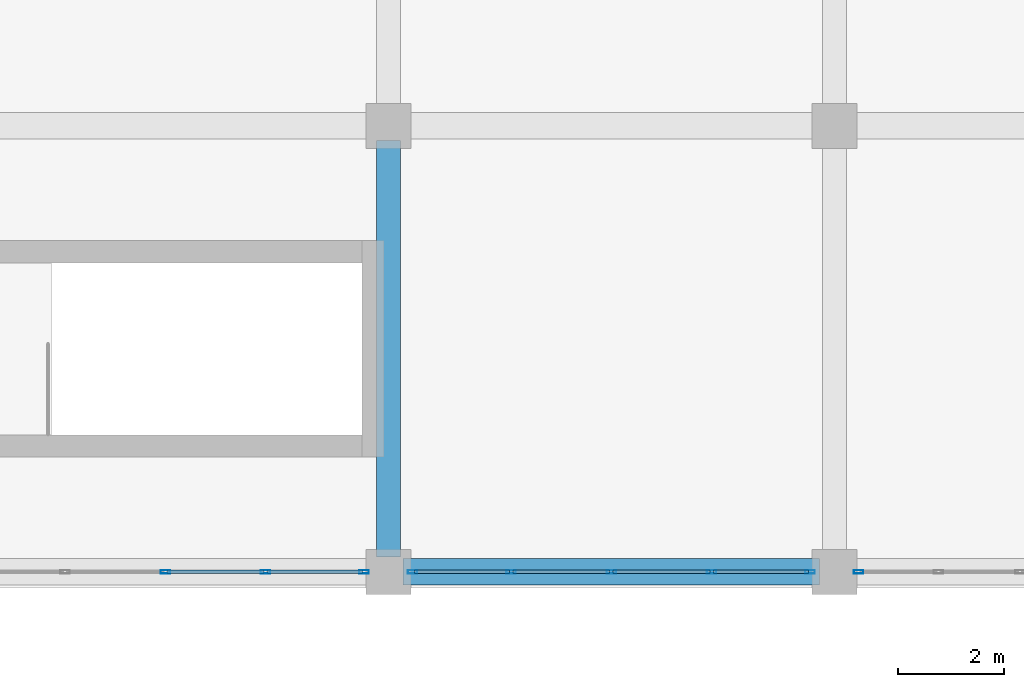
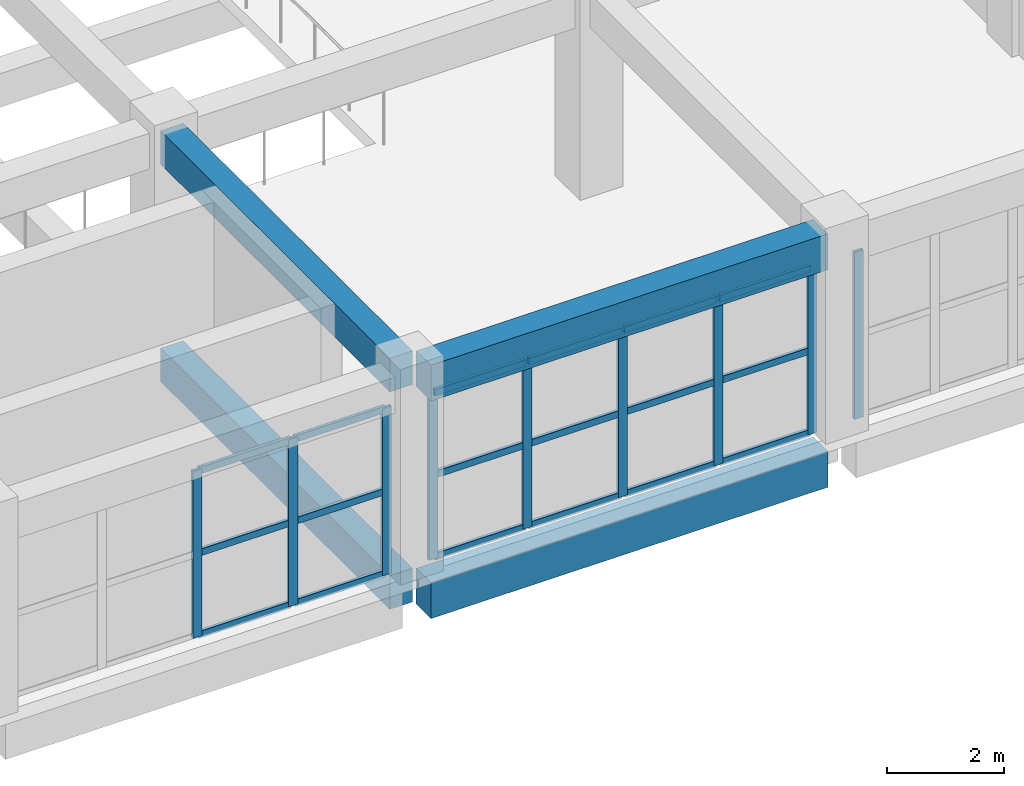
# One storey, part 28 of 129: 27 members, 4 beams, 3 elements without a shape of their own.
"""IFC4 building model written with IfcOpenShell, lengths in metres."""

from ifc_helpers import new_model, si_unit, direction, frame, origin, origin_2d, place, context, subcontext, project, spatial, rectangle, hollow_rectangle, extrude, material, layer, layer_set, material_profile, profile_set, type_object, element, aggregate, save


model = new_model("IFC4")

# Units and contexts
model_context = context("Model", 3, precision=1e-05, world=origin(), true_north=direction((0.0, 1.0)))
body_context = subcontext(model_context, "Body", "Model", "MODEL_VIEW")
ifc_project = project(units=[si_unit("LENGTHUNIT", "METRE"), si_unit("AREAUNIT", "SQUARE_METRE"), si_unit("VOLUMEUNIT", "CUBIC_METRE"), si_unit("PLANEANGLEUNIT", "RADIAN"), si_unit("MASSUNIT", "GRAM", prefix="KILO")], contexts=[model_context])

# Site, building, storey
site_placement = place(None, origin())
site = spatial("IfcSite", under=ifc_project, at=site_placement, CompositionType="ELEMENT")
building_placement = place(site_placement, origin())
building = spatial("IfcBuilding", under=site, at=building_placement, Name="Xazarin Passage Department Store", CompositionType="ELEMENT")
storey_placement = place(building_placement, frame((0.0, 0.0, 9.89990234375)))
storey = spatial("IfcBuildingStorey", under=building, at=storey_placement, Name="L02", CompositionType="ELEMENT", Elevation=9.89990234375)

# Curtain wall, members
ifc_material_1 = material(Name="Bronze anodised aluminium", Category="aluminium")
ifc_layer = layer(ifc_material_1, 0.159912109375)
ifc_layer_set = layer_set([ifc_layer], Name="Bronze anodised aluminium")
curtain_wall_type = type_object("IfcCurtainWallType", Name="ARC-CW-ARC1", PredefinedType="NOTDEFINED", material=ifc_layer_set)
curtain_wall_1_placement = place(storey_placement, origin())
curtain_wall_1 = element("IfcCurtainWall", 1, at=curtain_wall_1_placement, inside=storey, type_object=curtain_wall_type, Name="L02 V2S Curtain Wall 105", PredefinedType="NOTDEFINED")
ifc_material_profile_1 = material_profile(ifc_material_1, hollow_rectangle(XDim=0.06494140625, YDim=0.179931640625, WallThickness=0.00390625, at=origin_2d()), Name="ALU 65x180")
ifc_profile_set_1 = profile_set([ifc_material_profile_1], Name="Bronze anodised aluminium")
member_type_1 = type_object("IfcMemberType", Name="ARC-CWM-65x180", PredefinedType="MULLION", material=ifc_profile_set_1)
member_1_placement = place(storey_placement, frame((80.60009765625, 0.0, 0.0), z_axis=(0.0, 0.0, 1.0), x_axis=(0.0, 1.0, 0.0)))
member_1 = element("IfcMember", 2, at=member_1_placement, type_object=member_type_1, Name="CW3 mullion 3", PredefinedType="MULLION", context=body_context, shape_type="SweptSolid", body=[
    extrude(hollow_rectangle(XDim=0.06494140625, YDim=0.179931640625, WallThickness=0.00390625, at=origin_2d()), origin(), (0.0, 0.0, 1.0), 3.489990234375),
])
member_2_placement = place(storey_placement, frame((82.487548828125, 0.0, 0.0), z_axis=(0.0, 0.0, 1.0), x_axis=(0.0, 1.0, 0.0)))
member_2 = element("IfcMember", 3, at=member_2_placement, type_object=member_type_1, Name="CW3 mullion 4", PredefinedType="MULLION", context=body_context, shape_type="SweptSolid", body=[
    extrude(hollow_rectangle(XDim=0.06494140625, YDim=0.179931640625, WallThickness=0.00390625, at=origin_2d()), origin(), (0.0, 0.0, 1.0), 3.489990234375),
])
member_3_placement = place(storey_placement, frame((84.342529296875, 0.0, 0.0), z_axis=(0.0, 0.0, 1.0), x_axis=(0.0, 1.0, 0.0)))
member_3 = element("IfcMember", 4, at=member_3_placement, type_object=member_type_1, Name="CW3 mullion 5", PredefinedType="MULLION", context=body_context, shape_type="SweptSolid", body=[
    extrude(hollow_rectangle(XDim=0.06494140625, YDim=0.179931640625, WallThickness=0.00390625, at=origin_2d()), origin(), (0.0, 0.0, 1.0), 3.489990234375),
])

curtain_wall_2_placement = place(storey_placement, origin())
curtain_wall_2 = element("IfcCurtainWall", 5, at=curtain_wall_2_placement, inside=storey, type_object=curtain_wall_type, Name="L02 V2S Curtain Wall 106", PredefinedType="NOTDEFINED")
member_4_placement = place(storey_placement, frame((85.257568359375, 0.0, 0.0), z_axis=(0.0, 0.0, 1.0), x_axis=(0.0, 1.0, 0.0)))
member_4 = element("IfcMember", 6, at=member_4_placement, type_object=member_type_1, Name="CW3 mullion 1", PredefinedType="MULLION", context=body_context, shape_type="SweptSolid", body=[
    extrude(hollow_rectangle(XDim=0.06494140625, YDim=0.179931640625, WallThickness=0.00390625, at=origin_2d()), origin(), (0.0, 0.0, 1.0), 3.489990234375),
])
member_5_placement = place(storey_placement, frame((87.112548828125, 0.0, 0.0), z_axis=(0.0, 0.0, 1.0), x_axis=(0.0, 1.0, 0.0)))
member_5 = element("IfcMember", 7, at=member_5_placement, type_object=member_type_1, Name="CW3 mullion 2", PredefinedType="MULLION", context=body_context, shape_type="SweptSolid", body=[
    extrude(hollow_rectangle(XDim=0.06494140625, YDim=0.179931640625, WallThickness=0.00390625, at=origin_2d()), origin(), (0.0, 0.0, 1.0), 3.489990234375),
])
member_6_placement = place(storey_placement, frame((89.0, 0.0, 0.0), z_axis=(0.0, 0.0, 1.0), x_axis=(0.0, 1.0, 0.0)))
member_6 = element("IfcMember", 8, at=member_6_placement, type_object=member_type_1, Name="CW3 mullion 3", PredefinedType="MULLION", context=body_context, shape_type="SweptSolid", body=[
    extrude(hollow_rectangle(XDim=0.06494140625, YDim=0.179931640625, WallThickness=0.00390625, at=origin_2d()), origin(), (0.0, 0.0, 1.0), 3.489990234375),
])
member_7_placement = place(storey_placement, frame((90.887451171875, 0.0, 0.0), z_axis=(0.0, 0.0, 1.0), x_axis=(0.0, 1.0, 0.0)))
member_7 = element("IfcMember", 9, at=member_7_placement, type_object=member_type_1, Name="CW3 mullion 4", PredefinedType="MULLION", context=body_context, shape_type="SweptSolid", body=[
    extrude(hollow_rectangle(XDim=0.06494140625, YDim=0.179931640625, WallThickness=0.00390625, at=origin_2d()), origin(), (0.0, 0.0, 1.0), 3.489990234375),
])
member_8_placement = place(storey_placement, frame((92.742431640625, 0.0, 0.0), z_axis=(0.0, 0.0, 1.0), x_axis=(0.0, 1.0, 0.0)))
member_8 = element("IfcMember", 10, at=member_8_placement, type_object=member_type_1, Name="CW3 mullion 5", PredefinedType="MULLION", context=body_context, shape_type="SweptSolid", body=[
    extrude(hollow_rectangle(XDim=0.06494140625, YDim=0.179931640625, WallThickness=0.00390625, at=origin_2d()), origin(), (0.0, 0.0, 1.0), 3.489990234375),
])

# Curtain wall, member
curtain_wall_3_placement = place(storey_placement, origin())
curtain_wall_3 = element("IfcCurtainWall", 11, at=curtain_wall_3_placement, inside=storey, type_object=curtain_wall_type, Name="L02 V2S Curtain Wall 107", PredefinedType="NOTDEFINED")
member_9_placement = place(storey_placement, frame((93.657470703125, 0.0, 0.0), z_axis=(0.0, 0.0, 1.0), x_axis=(0.0, 1.0, 0.0)))
member_9 = element("IfcMember", 12, at=member_9_placement, type_object=member_type_1, Name="CW3 mullion 1", PredefinedType="MULLION", context=body_context, shape_type="SweptSolid", body=[
    extrude(hollow_rectangle(XDim=0.06494140625, YDim=0.179931640625, WallThickness=0.00390625, at=origin_2d()), origin(), (0.0, 0.0, 1.0), 3.489990234375),
])
aggregate(curtain_wall_3, [member_9])

# Member
ifc_material_profile_2 = material_profile(ifc_material_1, hollow_rectangle(XDim=0.06494140625, YDim=0.139892578125, WallThickness=0.00390625, at=origin_2d()), Name="ALU 65x140")
ifc_profile_set_2 = profile_set([ifc_material_profile_2], Name="Bronze anodised aluminium")
member_type_2 = type_object("IfcMemberType", Name="ARC-CWT-65x140", PredefinedType="USERDEFINED", material=ifc_profile_set_2)
member_10_placement = place(storey_placement, frame((80.632568359375, 0.0, 0.03271484375), z_axis=(1.0, 0.0, 0.0), x_axis=(0.0, 1.0, 0.0)))
member_10 = element("IfcMember", 13, at=member_10_placement, type_object=member_type_2, Name="CW3 transom 3.1", ObjectType="TRANSOM", PredefinedType="USERDEFINED", context=body_context, shape_type="SweptSolid", body=[
    extrude(hollow_rectangle(XDim=0.06494140625, YDim=0.139892578125, WallThickness=0.00390625, at=origin_2d()), origin(), (0.0, 0.0, 1.0), 1.822509765625),
])

member_11_placement = place(storey_placement, frame((80.632568359375, 0.0, 1.7451171875), z_axis=(1.0, 0.0, 0.0), x_axis=(0.0, 1.0, 0.0)))
member_11 = element("IfcMember", 14, at=member_11_placement, type_object=member_type_2, Name="CW3 transom 3.2", ObjectType="TRANSOM", PredefinedType="USERDEFINED", context=body_context, shape_type="SweptSolid", body=[
    extrude(hollow_rectangle(XDim=0.06494140625, YDim=0.139892578125, WallThickness=0.00390625, at=origin_2d()), origin(), (0.0, 0.0, 1.0), 1.822509765625),
])

member_12_placement = place(storey_placement, frame((80.632568359375, 0.0, 3.45751953125), z_axis=(1.0, 0.0, 0.0), x_axis=(0.0, 1.0, 0.0)))
member_12 = element("IfcMember", 15, at=member_12_placement, type_object=member_type_2, Name="CW3 transom 3.3", ObjectType="TRANSOM", PredefinedType="USERDEFINED", context=body_context, shape_type="SweptSolid", body=[
    extrude(hollow_rectangle(XDim=0.06494140625, YDim=0.139892578125, WallThickness=0.00390625, at=origin_2d()), origin(), (0.0, 0.0, 1.0), 1.822509765625),
])

member_13_placement = place(storey_placement, frame((82.52001953125, 0.0, 0.03271484375), z_axis=(1.0, 0.0, 0.0), x_axis=(0.0, 1.0, 0.0)))
member_13 = element("IfcMember", 16, at=member_13_placement, type_object=member_type_2, Name="CW3 transom 4.1", ObjectType="TRANSOM", PredefinedType="USERDEFINED", context=body_context, shape_type="SweptSolid", body=[
    extrude(hollow_rectangle(XDim=0.06494140625, YDim=0.139892578125, WallThickness=0.00390625, at=origin_2d()), origin(), (0.0, 0.0, 1.0), 1.7900390625),
])

member_14_placement = place(storey_placement, frame((82.52001953125, 0.0, 1.7451171875), z_axis=(1.0, 0.0, 0.0), x_axis=(0.0, 1.0, 0.0)))
member_14 = element("IfcMember", 17, at=member_14_placement, type_object=member_type_2, Name="CW3 transom 4.2", ObjectType="TRANSOM", PredefinedType="USERDEFINED", context=body_context, shape_type="SweptSolid", body=[
    extrude(hollow_rectangle(XDim=0.06494140625, YDim=0.139892578125, WallThickness=0.00390625, at=origin_2d()), origin(), (0.0, 0.0, 1.0), 1.7900390625),
])

member_15_placement = place(storey_placement, frame((82.52001953125, 0.0, 3.45751953125), z_axis=(1.0, 0.0, 0.0), x_axis=(0.0, 1.0, 0.0)))
member_15 = element("IfcMember", 18, at=member_15_placement, type_object=member_type_2, Name="CW3 transom 4.3", ObjectType="TRANSOM", PredefinedType="USERDEFINED", context=body_context, shape_type="SweptSolid", body=[
    extrude(hollow_rectangle(XDim=0.06494140625, YDim=0.139892578125, WallThickness=0.00390625, at=origin_2d()), origin(), (0.0, 0.0, 1.0), 1.7900390625),
])

aggregate(curtain_wall_1, [member_1, member_2, member_3, member_10, member_11, member_12, member_13, member_14, member_15])

member_16_placement = place(storey_placement, frame((85.2900390625, 0.0, 0.03271484375), z_axis=(1.0, 0.0, 0.0), x_axis=(0.0, 1.0, 0.0)))
member_16 = element("IfcMember", 19, at=member_16_placement, type_object=member_type_2, Name="CW3 transom 1.1", ObjectType="TRANSOM", PredefinedType="USERDEFINED", context=body_context, shape_type="SweptSolid", body=[
    extrude(hollow_rectangle(XDim=0.06494140625, YDim=0.139892578125, WallThickness=0.00390625, at=origin_2d()), origin(), (0.0, 0.0, 1.0), 1.7900390625),
])

member_17_placement = place(storey_placement, frame((85.2900390625, 0.0, 1.7451171875), z_axis=(1.0, 0.0, 0.0), x_axis=(0.0, 1.0, 0.0)))
member_17 = element("IfcMember", 20, at=member_17_placement, type_object=member_type_2, Name="CW3 transom 1.2", ObjectType="TRANSOM", PredefinedType="USERDEFINED", context=body_context, shape_type="SweptSolid", body=[
    extrude(hollow_rectangle(XDim=0.06494140625, YDim=0.139892578125, WallThickness=0.00390625, at=origin_2d()), origin(), (0.0, 0.0, 1.0), 1.7900390625),
])

member_18_placement = place(storey_placement, frame((85.2900390625, 0.0, 3.45751953125), z_axis=(1.0, 0.0, 0.0), x_axis=(0.0, 1.0, 0.0)))
member_18 = element("IfcMember", 21, at=member_18_placement, type_object=member_type_2, Name="CW3 transom 1.3", ObjectType="TRANSOM", PredefinedType="USERDEFINED", context=body_context, shape_type="SweptSolid", body=[
    extrude(hollow_rectangle(XDim=0.06494140625, YDim=0.139892578125, WallThickness=0.00390625, at=origin_2d()), origin(), (0.0, 0.0, 1.0), 1.7900390625),
])

member_19_placement = place(storey_placement, frame((87.14501953125, 0.0, 0.03271484375), z_axis=(1.0, 0.0, 0.0), x_axis=(0.0, 1.0, 0.0)))
member_19 = element("IfcMember", 22, at=member_19_placement, type_object=member_type_2, Name="CW3 transom 2.1", ObjectType="TRANSOM", PredefinedType="USERDEFINED", context=body_context, shape_type="SweptSolid", body=[
    extrude(hollow_rectangle(XDim=0.06494140625, YDim=0.139892578125, WallThickness=0.00390625, at=origin_2d()), origin(), (0.0, 0.0, 1.0), 1.822509765625),
])

member_20_placement = place(storey_placement, frame((87.14501953125, 0.0, 1.7451171875), z_axis=(1.0, 0.0, 0.0), x_axis=(0.0, 1.0, 0.0)))
member_20 = element("IfcMember", 23, at=member_20_placement, type_object=member_type_2, Name="CW3 transom 2.2", ObjectType="TRANSOM", PredefinedType="USERDEFINED", context=body_context, shape_type="SweptSolid", body=[
    extrude(hollow_rectangle(XDim=0.06494140625, YDim=0.139892578125, WallThickness=0.00390625, at=origin_2d()), origin(), (0.0, 0.0, 1.0), 1.822509765625),
])

member_21_placement = place(storey_placement, frame((87.14501953125, 0.0, 3.45751953125), z_axis=(1.0, 0.0, 0.0), x_axis=(0.0, 1.0, 0.0)))
member_21 = element("IfcMember", 24, at=member_21_placement, type_object=member_type_2, Name="CW3 transom 2.3", ObjectType="TRANSOM", PredefinedType="USERDEFINED", context=body_context, shape_type="SweptSolid", body=[
    extrude(hollow_rectangle(XDim=0.06494140625, YDim=0.139892578125, WallThickness=0.00390625, at=origin_2d()), origin(), (0.0, 0.0, 1.0), 1.822509765625),
])

member_22_placement = place(storey_placement, frame((89.032470703125, 0.0, 0.03271484375), z_axis=(1.0, 0.0, 0.0), x_axis=(0.0, 1.0, 0.0)))
member_22 = element("IfcMember", 25, at=member_22_placement, type_object=member_type_2, Name="CW3 transom 3.1", ObjectType="TRANSOM", PredefinedType="USERDEFINED", context=body_context, shape_type="SweptSolid", body=[
    extrude(hollow_rectangle(XDim=0.06494140625, YDim=0.139892578125, WallThickness=0.00390625, at=origin_2d()), origin(), (0.0, 0.0, 1.0), 1.822509765625),
])

member_23_placement = place(storey_placement, frame((89.032470703125, 0.0, 1.7451171875), z_axis=(1.0, 0.0, 0.0), x_axis=(0.0, 1.0, 0.0)))
member_23 = element("IfcMember", 26, at=member_23_placement, type_object=member_type_2, Name="CW3 transom 3.2", ObjectType="TRANSOM", PredefinedType="USERDEFINED", context=body_context, shape_type="SweptSolid", body=[
    extrude(hollow_rectangle(XDim=0.06494140625, YDim=0.139892578125, WallThickness=0.00390625, at=origin_2d()), origin(), (0.0, 0.0, 1.0), 1.822509765625),
])

member_24_placement = place(storey_placement, frame((89.032470703125, 0.0, 3.45751953125), z_axis=(1.0, 0.0, 0.0), x_axis=(0.0, 1.0, 0.0)))
member_24 = element("IfcMember", 27, at=member_24_placement, type_object=member_type_2, Name="CW3 transom 3.3", ObjectType="TRANSOM", PredefinedType="USERDEFINED", context=body_context, shape_type="SweptSolid", body=[
    extrude(hollow_rectangle(XDim=0.06494140625, YDim=0.139892578125, WallThickness=0.00390625, at=origin_2d()), origin(), (0.0, 0.0, 1.0), 1.822509765625),
])

member_25_placement = place(storey_placement, frame((90.919921875, 0.0, 0.03271484375), z_axis=(1.0, 0.0, 0.0), x_axis=(0.0, 1.0, 0.0)))
member_25 = element("IfcMember", 28, at=member_25_placement, type_object=member_type_2, Name="CW3 transom 4.1", ObjectType="TRANSOM", PredefinedType="USERDEFINED", context=body_context, shape_type="SweptSolid", body=[
    extrude(hollow_rectangle(XDim=0.06494140625, YDim=0.139892578125, WallThickness=0.00390625, at=origin_2d()), origin(), (0.0, 0.0, 1.0), 1.7900390625),
])

member_26_placement = place(storey_placement, frame((90.919921875, 0.0, 1.7451171875), z_axis=(1.0, 0.0, 0.0), x_axis=(0.0, 1.0, 0.0)))
member_26 = element("IfcMember", 29, at=member_26_placement, type_object=member_type_2, Name="CW3 transom 4.2", ObjectType="TRANSOM", PredefinedType="USERDEFINED", context=body_context, shape_type="SweptSolid", body=[
    extrude(hollow_rectangle(XDim=0.06494140625, YDim=0.139892578125, WallThickness=0.00390625, at=origin_2d()), origin(), (0.0, 0.0, 1.0), 1.7900390625),
])

member_27_placement = place(storey_placement, frame((90.919921875, 0.0, 3.45751953125), z_axis=(1.0, 0.0, 0.0), x_axis=(0.0, 1.0, 0.0)))
member_27 = element("IfcMember", 30, at=member_27_placement, type_object=member_type_2, Name="CW3 transom 4.3", ObjectType="TRANSOM", PredefinedType="USERDEFINED", context=body_context, shape_type="SweptSolid", body=[
    extrude(hollow_rectangle(XDim=0.06494140625, YDim=0.139892578125, WallThickness=0.00390625, at=origin_2d()), origin(), (0.0, 0.0, 1.0), 1.7900390625),
])

aggregate(curtain_wall_2, [member_4, member_5, member_6, member_7, member_8, member_16, member_17, member_18, member_19, member_20, member_21, member_22, member_23, member_24, member_25, member_26, member_27])

# Beams
ifc_material_2 = material(Name="Concrete C35/45", Category="concrete")
ifc_material_profile_3 = material_profile(ifc_material_2, rectangle(XDim=0.449951171875, YDim=0.699951171875, at=origin_2d()), Name="RC 450x700")
ifc_profile_set_3 = profile_set([ifc_material_profile_3], Name="Concrete C35/45")
beam_type_1 = type_object("IfcBeamType", Name="STR-BM-G450x700", PredefinedType="BEAM", material=ifc_profile_set_3)
for number, where, z_axis, x_axis, name in (
    (31, (84.800048828125, 0.280029296875, -0.64990234375), (0.0, 1.0, 0.0), (-1.0, 0.0, 0.0), "L02 Grid Beam 12/A-B"),
    (32, (84.800048828125, 0.280029296875, 3.89013671875), (0.0, 1.0, 0.0), (-1.0, 0.0, 0.0), "L02 Grid Beam 12/A-B"),
):
    element("IfcBeam", number, at=place(storey_placement, frame(where, z_axis=z_axis, x_axis=x_axis)), inside=storey, type_object=beam_type_1, Name=name, PredefinedType="BEAM", context=body_context, shape_type="SweptSolid", body=[
        extrude(rectangle(XDim=0.449951171875, YDim=0.699951171875, at=origin_2d()), origin(), (0.0, 0.0, 1.0), 7.840087890625),
    ])
ifc_material_profile_4 = material_profile(ifc_material_2, rectangle(XDim=0.5, YDim=0.75, at=origin_2d()), Name="RC 500x750")
ifc_profile_set_4 = profile_set([ifc_material_profile_4], Name="Concrete C35/45")
beam_type_2 = type_object("IfcBeamType", Name="STR-BM-SP500x750", PredefinedType="SPANDREL", material=ifc_profile_set_4)
for number, where, z_axis, x_axis, name in (
    (33, (85.080078125, 0.0, -0.6748046875), (1.0, 0.0, 0.0), (0.0, 1.0, 0.0), "L02 Grid Beam A/12-13"),
    (34, (85.080078125, 0.0, 3.864990234375), (1.0, 0.0, 0.0), (0.0, 1.0, 0.0), "L02 Grid Beam A/12-13"),
):
    element("IfcBeam", number, at=place(storey_placement, frame(where, z_axis=z_axis, x_axis=x_axis)), inside=storey, type_object=beam_type_2, Name=name, PredefinedType="SPANDREL", context=body_context, shape_type="SweptSolid", body=[
        extrude(rectangle(XDim=0.5, YDim=0.75, at=origin_2d()), origin(), (0.0, 0.0, 1.0), 7.83984375),
    ])

save(model, "model.ifc")
